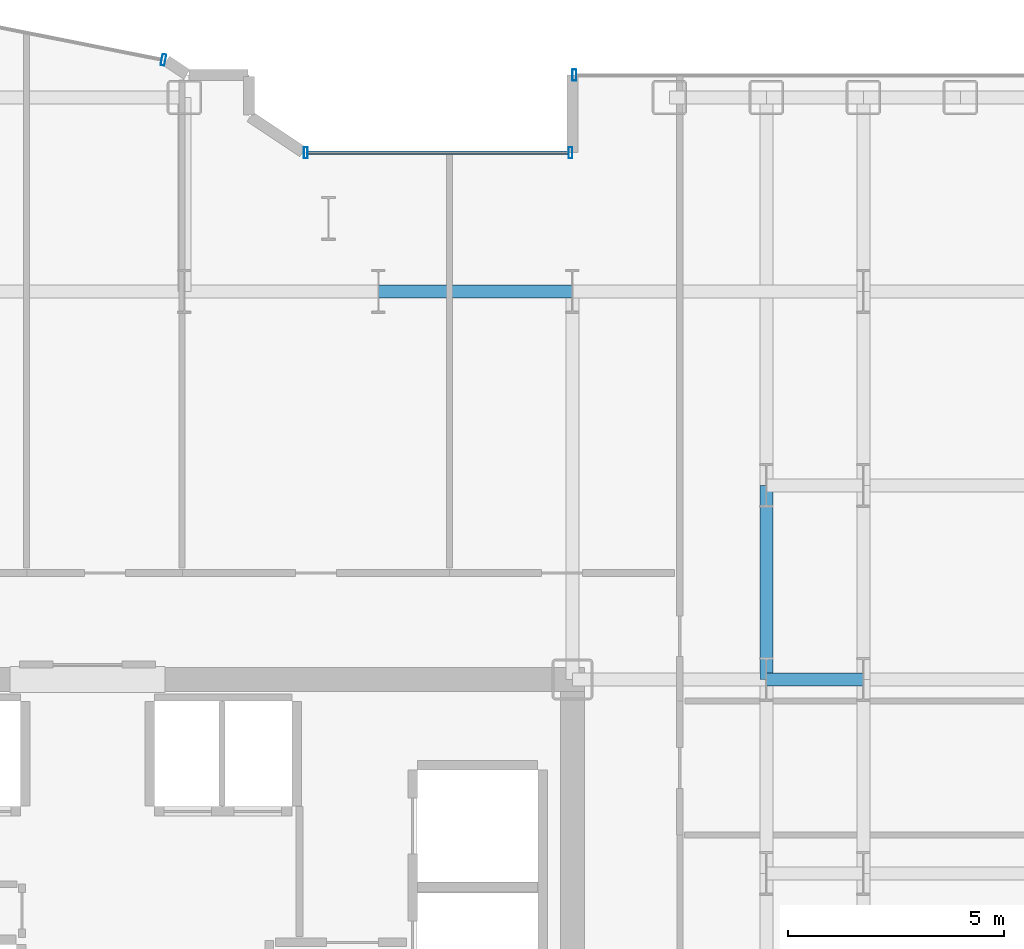
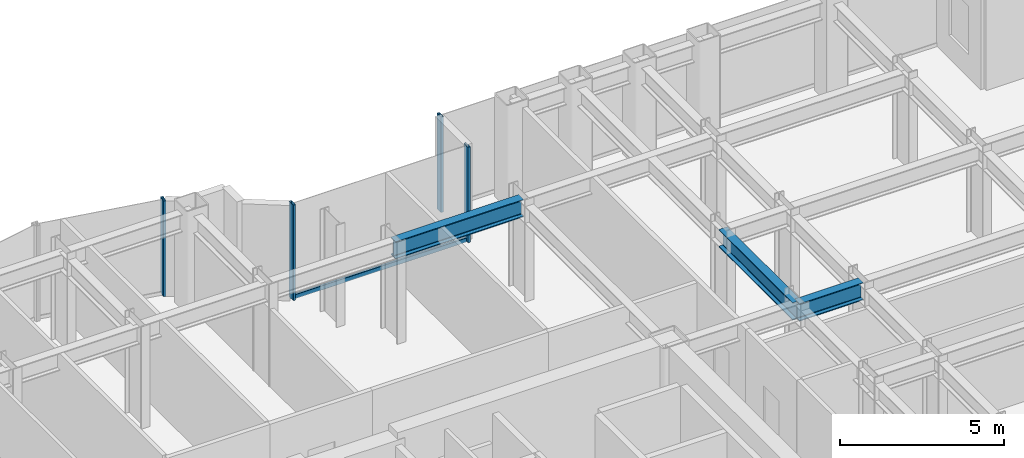
# One storey, part 12 of 26: 5 members, 3 beams, 3 elements without a shape of their own.
"""IFC4 building model written with IfcOpenShell, lengths in metres."""

from ifc_helpers import new_model, si_unit, direction, frame, origin, origin_2d, place, context, subcontext, project, spatial, hollow_rectangle, i_section, extrude, source, transform, mapped, material, layer, layer_set, material_profile, profile_set, type_object, element, aggregate, save


model = new_model("IFC4")

# Units and contexts
model_context = context("Model", 3, precision=1e-05, world=origin(), true_north=direction((0.0, 1.0)))
body_context = subcontext(model_context, "Body", "Model", "MODEL_VIEW")
ifc_project = project(units=[si_unit("LENGTHUNIT", "METRE"), si_unit("AREAUNIT", "SQUARE_METRE"), si_unit("VOLUMEUNIT", "CUBIC_METRE"), si_unit("PLANEANGLEUNIT", "RADIAN"), si_unit("MASSUNIT", "GRAM", prefix="KILO")], contexts=[model_context])

# Site, building, storey
site_placement = place(None, origin())
site = spatial("IfcSite", under=ifc_project, at=site_placement, CompositionType="ELEMENT")
building_placement = place(site_placement, origin())
building = spatial("IfcBuilding", under=site, at=building_placement, Name="Nefas-Gora Pilgrimage Tower", CompositionType="ELEMENT")
storey_placement = place(building_placement, frame((0.0, 0.0, 132.60009765625)))
storey = spatial("IfcBuildingStorey", under=building, at=storey_placement, Name="L32", CompositionType="ELEMENT", Elevation=132.60009765625)

# Beams
ifc_material_1 = material(Name="Steel S355", Category="steel")
ifc_material_profile_1 = material_profile(ifc_material_1, i_section(OverallWidth=0.300048828125, OverallDepth=0.64990234375, WebThickness=0.01611328125, FlangeThickness=0.031005859375, FilletRadius=0.027099609375, at=origin_2d()), Name="HEB 650")
ifc_profile_set_1 = profile_set([ifc_material_profile_1], Name="Steel S355")
beam_type = type_object("IfcBeamType", Name="BM-GIR-HEB650", PredefinedType="BEAM", material=ifc_profile_set_1)
shared_shape_1 = source(origin(), body_context, "Body", "SweptSolid", [
    extrude(i_section(OverallWidth=0.300048828125, OverallDepth=0.64990234375, WebThickness=0.01611328125, FlangeThickness=0.031005859375, FilletRadius=0.027099609375, at=origin_2d()), origin(), (0.0, 0.0, 1.0), 4.5),
])
for number, where, z_axis, x_axis, name in (
    (1, (6.75, 18.0, 3.224853515625), (1.0, 0.0, 0.0), (0.0, 1.0, 0.0), "L32 G-03 beam"),
    (2, (15.75, 9.0, 3.224853515625), (0.0, 1.0, 0.0), (-1.0, 0.0, 0.0), "L32 G-03 beam"),
):
    element("IfcBeam", number, at=place(storey_placement, frame(where, z_axis=z_axis, x_axis=x_axis)), inside=storey, type_object=beam_type, Name=name, PredefinedType="BEAM", context=body_context, shape_type="MappedRepresentation", body=[
        mapped(shared_shape_1, transform((0.0, 0.0, 0.0), x_axis=(1.0, 0.0, 0.0), y_axis=(0.0, 1.0, 0.0), z_axis=(0.0, 0.0, 1.0), scale=1.0)),
    ])
shared_shape_2 = source(origin(), body_context, "Body", "SweptSolid", [
    extrude(i_section(OverallWidth=0.300048828125, OverallDepth=0.64990234375, WebThickness=0.01611328125, FlangeThickness=0.031005859375, FilletRadius=0.027099609375, at=origin_2d()), origin(), (0.0, 0.0, 1.0), 2.25),
])
beam_placement = place(storey_placement, frame((15.75, 9.0, 3.224853515625), z_axis=(1.0, 0.0, 0.0), x_axis=(0.0, 1.0, 0.0)))
element("IfcBeam", 3, at=beam_placement, inside=storey, type_object=beam_type, Name="L32 G-03 beam", PredefinedType="BEAM", context=body_context, shape_type="MappedRepresentation", body=[
    mapped(shared_shape_2, transform((0.0, 0.0, 0.0), x_axis=(1.0, 0.0, 0.0), y_axis=(0.0, 1.0, 0.0), z_axis=(0.0, 0.0, 1.0), scale=1.0)),
])

# Curtain wall, members
ifc_material_2 = material(Name="Dark ceramic-fritted solar-control aluminium-glass curtain wall", Category="aluminium")
ifc_layer_1 = layer(ifc_material_2, 0.219970703125)
ifc_layer_set_1 = layer_set([ifc_layer_1], Name="Dark ceramic-fritted solar-control aluminium-glass curtain wall")
curtain_wall_type_1 = type_object("IfcCurtainWallType", Name="CW-SYS-5", PredefinedType="NOTDEFINED", material=ifc_layer_set_1)
curtain_wall_1_placement = place(storey_placement, origin())
curtain_wall_1 = element("IfcCurtainWall", 4, at=curtain_wall_1_placement, inside=storey, type_object=curtain_wall_type_1, Name="L32 Unitised Curtain Wall CW5", PredefinedType="NOTDEFINED")
ifc_material_3 = material(Name="Anodised architectural aluminium", Category="aluminium")
ifc_material_profile_2 = material_profile(ifc_material_3, hollow_rectangle(XDim=0.080078125, YDim=0.159912109375, WallThickness=0.00439453125, InnerFilletRadius=0.00439453125, OuterFilletRadius=0.009033203125, at=origin_2d()), Name="ALU TRANSOM 80x160")
ifc_profile_set_2 = profile_set([ifc_material_profile_2], Name="Anodised architectural aluminium")
member_type_1 = type_object("IfcMemberType", Name="CWM-TRN-5", PredefinedType="USERDEFINED", material=ifc_profile_set_2)
shared_shape_3 = source(origin(), body_context, "Body", "SweptSolid", [
    extrude(hollow_rectangle(XDim=0.080078125, YDim=0.159912109375, WallThickness=0.00439453125, InnerFilletRadius=0.00439453125, OuterFilletRadius=0.009033203125, at=origin_2d()), origin(), (0.0, 0.0, 1.0), 6.052001953125),
])
member_1_placement = place(storey_placement, frame((11.159912109375, 21.219970703125, 0.0498046875), z_axis=(-1.0, 0.0, 0.0), x_axis=(0.0, -1.0, 0.0)))
member_1 = element("IfcMember", 5, at=member_1_placement, type_object=member_type_1, Name="CW5 Spandrel Transom", ObjectType="TRANSOM", PredefinedType="USERDEFINED", context=body_context, shape_type="MappedRepresentation", body=[
    mapped(shared_shape_3, transform((0.0, 0.0, 0.0), x_axis=(1.0, 0.0, 0.0), y_axis=(0.0, 1.0, 0.0), z_axis=(0.0, 0.0, 1.0), scale=1.0)),
])
ifc_material_profile_3 = material_profile(ifc_material_3, hollow_rectangle(XDim=0.090087890625, YDim=0.260009765625, WallThickness=0.006103515625, InnerFilletRadius=0.006103515625, OuterFilletRadius=0.011962890625, at=origin_2d()), Name="ALU MULLION 90x260")
ifc_profile_set_3 = profile_set([ifc_material_profile_3], Name="Anodised architectural aluminium")
member_type_2 = type_object("IfcMemberType", Name="CWM-MUL-5", PredefinedType="MULLION", material=ifc_profile_set_3)
shared_shape_4 = source(origin(), body_context, "Body", "SweptSolid", [
    extrude(hollow_rectangle(XDim=0.090087890625, YDim=0.260009765625, WallThickness=0.006103515625, InnerFilletRadius=0.006103515625, OuterFilletRadius=0.011962890625, at=origin_2d()), origin(), (0.0, 0.0, 1.0), 3.5498046875),
])
member_2_placement = place(storey_placement, frame((11.205078125, 21.219970703125, 0.0), z_axis=(0.0, 0.0, 1.0), x_axis=(-1.0, 0.0, 0.0)))
member_2 = element("IfcMember", 6, at=member_2_placement, type_object=member_type_2, Name="CW5 Mullion 1", PredefinedType="MULLION", context=body_context, shape_type="MappedRepresentation", body=[
    mapped(shared_shape_4, transform((0.0, 0.0, 0.0), x_axis=(1.0, 0.0, 0.0), y_axis=(0.0, 1.0, 0.0), z_axis=(0.0, 0.0, 1.0), scale=1.0)),
])
member_3_placement = place(storey_placement, frame((5.06298828125, 21.219970703125, 0.0), z_axis=(0.0, 0.0, 1.0), x_axis=(-1.0, 0.0, 0.0)))
member_3 = element("IfcMember", 7, at=member_3_placement, type_object=member_type_2, Name="CW5 Mullion 2", PredefinedType="MULLION", context=body_context, shape_type="MappedRepresentation", body=[
    mapped(shared_shape_4, transform((0.0, 0.0, 0.0), x_axis=(1.0, 0.0, 0.0), y_axis=(0.0, 1.0, 0.0), z_axis=(0.0, 0.0, 1.0), scale=1.0)),
])
aggregate(curtain_wall_1, [member_2, member_3, member_1])

# Curtain wall, member
curtain_wall_2_placement = place(storey_placement, origin())
curtain_wall_2 = element("IfcCurtainWall", 8, at=curtain_wall_2_placement, inside=storey, type_object=curtain_wall_type_1, Name="L32 Unitised Curtain Wall CW5", PredefinedType="NOTDEFINED")
member_4_placement = place(storey_placement, frame((1.76318359375, 23.3740234375, 0.0), z_axis=(0.0, 0.0, 1.0), x_axis=(-0.980782896852, 0.195102304554, 0.0)))
member_4 = element("IfcMember", 9, at=member_4_placement, type_object=member_type_2, Name="CW5 Mullion 1", PredefinedType="MULLION", context=body_context, shape_type="MappedRepresentation", body=[
    mapped(shared_shape_4, transform((0.0, 0.0, 0.0), x_axis=(1.0, 0.0, 0.0), y_axis=(0.0, 1.0, 0.0), z_axis=(0.0, 0.0, 1.0), scale=1.0)),
])
aggregate(curtain_wall_2, [member_4])

ifc_layer_2 = layer(ifc_material_2, 0.219970703125)
ifc_layer_set_2 = layer_set([ifc_layer_2], Name="Dark ceramic-fritted solar-control aluminium-glass curtain wall")
curtain_wall_type_2 = type_object("IfcCurtainWallType", Name="CW-SYS-2", PredefinedType="NOTDEFINED", material=ifc_layer_set_2)
curtain_wall_3_placement = place(storey_placement, origin())
curtain_wall_3 = element("IfcCurtainWall", 10, at=curtain_wall_3_placement, inside=storey, type_object=curtain_wall_type_2, Name="L32 Unitised Curtain Wall CW2", PredefinedType="NOTDEFINED")
ifc_material_profile_4 = material_profile(ifc_material_3, hollow_rectangle(XDim=0.090087890625, YDim=0.260009765625, WallThickness=0.006103515625, InnerFilletRadius=0.006103515625, OuterFilletRadius=0.011962890625, at=origin_2d()), Name="ALU MULLION 90x260")
ifc_profile_set_4 = profile_set([ifc_material_profile_4], Name="Anodised architectural aluminium")
member_type_3 = type_object("IfcMemberType", Name="CWM-MUL-2", PredefinedType="MULLION", material=ifc_profile_set_4)
shared_shape_5 = source(origin(), body_context, "Body", "SweptSolid", [
    extrude(hollow_rectangle(XDim=0.090087890625, YDim=0.260009765625, WallThickness=0.006103515625, InnerFilletRadius=0.006103515625, OuterFilletRadius=0.011962890625, at=origin_2d()), origin(), (0.0, 0.0, 1.0), 3.5498046875),
])
member_5_placement = place(storey_placement, frame((11.294921875, 23.02001953125, 0.0), z_axis=(0.0, 0.0, 1.0), x_axis=(-1.0, 0.0, 0.0)))
member_5 = element("IfcMember", 11, at=member_5_placement, type_object=member_type_3, Name="CW2 Mullion 2", PredefinedType="MULLION", context=body_context, shape_type="MappedRepresentation", body=[
    mapped(shared_shape_5, transform((0.0, 0.0, 0.0), x_axis=(1.0, 0.0, 0.0), y_axis=(0.0, 1.0, 0.0), z_axis=(0.0, 0.0, 1.0), scale=1.0)),
])
aggregate(curtain_wall_3, [member_5])

save(model, "model.ifc")
